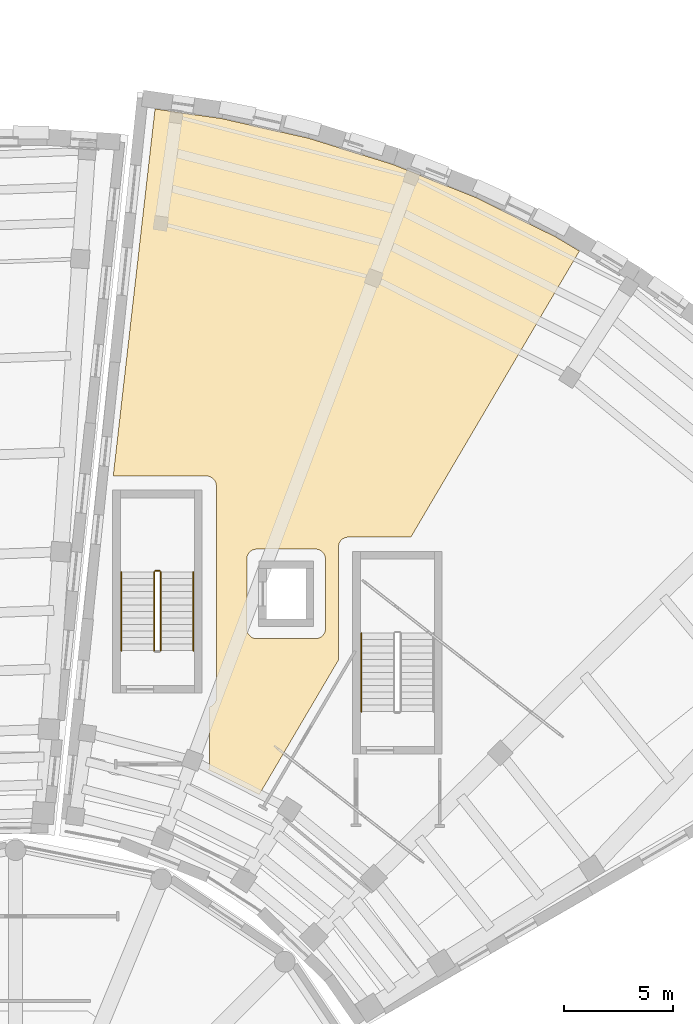
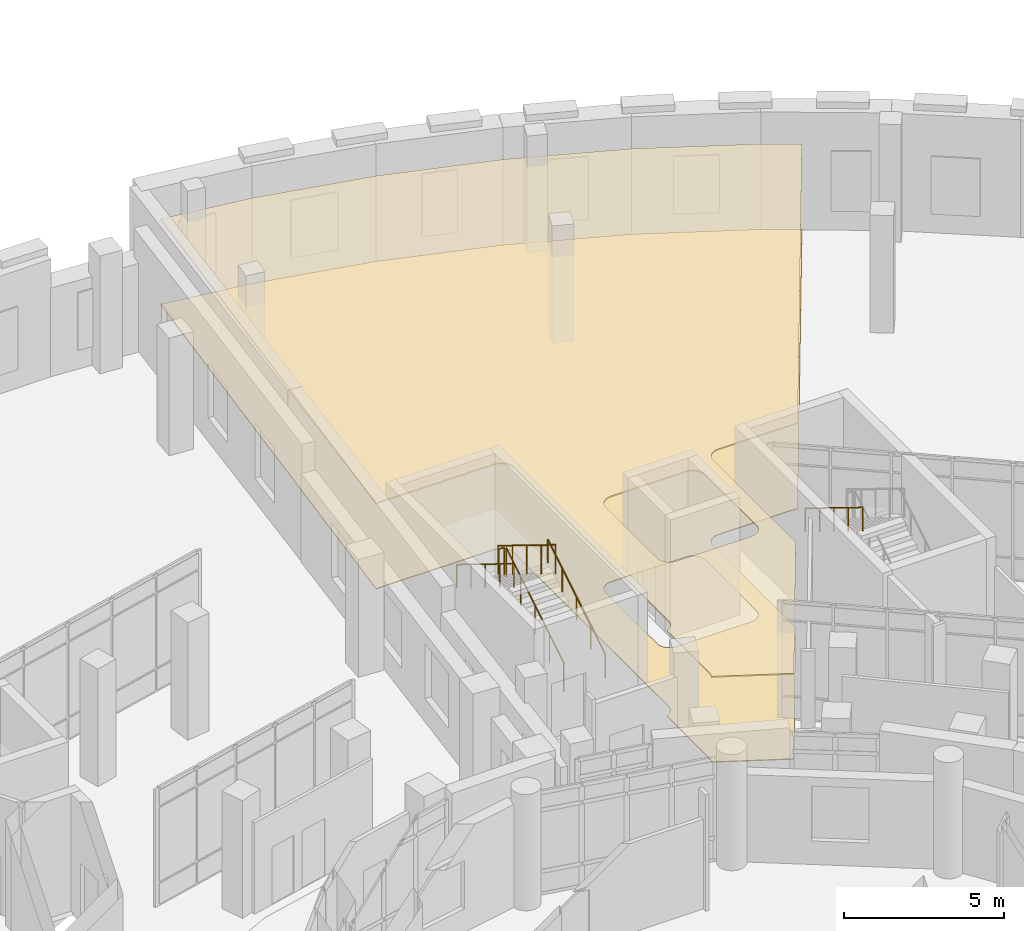
# One storey, part 84 of 89: 6 railings, 2 coverings.
"""IFC4 building model written with IfcOpenShell, lengths in metres."""

import ifcopenshell
import ifcopenshell.guid

model = None  # the IFC model being written
_history = None  # IfcOwnerHistory: only IFC2X3 demands one
_inside = {}  # id of a spatial element -> (the spatial element, [elements in it])
_under = {}  # id of a project, library or spatial element -> (it, [spatial elements below it])
_declared = {}  # id of a project -> (the project, [libraries it declares])
_typed = {}  # id of a type object -> (the type object, [elements of that type])
_made_of = {}  # id of a material, layer set ... -> (it, [elements and type objects made of it])


def new_model(schema):
    """Start an empty IFC model of exactly this schema.

    Asked for "IFC4X3", IfcOpenShell would pick the latest addendum, in which some entities
    have other attributes; the version numbers below select the first issue.
    IFC2X3 requires an IfcOwnerHistory on every rooted entity: one is made here for all.
    """
    global model, _history
    if schema == "IFC4X3":
        model = ifcopenshell.file(schema_version=(4, 3, 0, 0))
    else:
        model = ifcopenshell.file(schema=schema)
    _inside.clear()
    _under.clear()
    _declared.clear()
    _typed.clear()
    _made_of.clear()
    _history = None
    if model.schema == "IFC2X3":
        org = make("IfcOrganization", Name="unknown")
        user = make(
            "IfcPersonAndOrganization",
            ThePerson=make("IfcPerson", FamilyName="unknown"),
            TheOrganization=org,
        )
        app = make(
            "IfcApplication",
            ApplicationDeveloper=org,
            Version="unknown",
            ApplicationFullName="unknown",
            ApplicationIdentifier="unknown",
        )
        _history = make(
            "IfcOwnerHistory",
            OwningUser=user,
            OwningApplication=app,
            ChangeAction="ADDED",
            CreationDate=0,
        )
    return model


def make(cls, **values):
    """One entity of the class cls with the attributes given. An attribute that is None is left unset."""
    return model.create_entity(
        cls, **{name: value for name, value in values.items() if value is not None}
    )


def rooted(cls, **values):
    """An entity with a GlobalId (a new one), such as an element, a storey or a relation."""
    return make(cls, GlobalId=ifcopenshell.guid.new(), OwnerHistory=_history, **values)


def si_unit(unit_type, name, prefix=None):
    """IfcSIUnit, for example si_unit("LENGTHUNIT", "METRE", prefix="MILLI")."""
    return make("IfcSIUnit", UnitType=unit_type, Prefix=prefix, Name=name)


def assignment(units):
    """IfcUnitAssignment: the units of a project."""
    return None if units is None else make("IfcUnitAssignment", Units=units)


def point(xyz):
    """IfcCartesianPoint."""
    return None if xyz is None else make("IfcCartesianPoint", Coordinates=xyz)


def direction(xyz):
    """IfcDirection."""
    return None if xyz is None else make("IfcDirection", DirectionRatios=xyz)


def frame(location, z_axis=None, x_axis=None):
    """IfcAxis2Placement3D, a coordinate frame: its origin and axes. An axis left out is left unset."""
    return make(
        "IfcAxis2Placement3D",
        Location=point(location),
        Axis=direction(z_axis),
        RefDirection=direction(x_axis),
    )


def frame_2d(location, x_axis=None):
    """IfcAxis2Placement2D, a coordinate frame in the plane: its origin and x axis."""
    return make(
        "IfcAxis2Placement2D", Location=point(location), RefDirection=direction(x_axis)
    )


def origin():
    """The frame at (0, 0, 0) with its axes left unset."""
    return frame((0.0, 0.0, 0.0))


def origin_2d():
    """The frame at (0, 0) in the plane with its x axis left unset."""
    return frame_2d((0.0, 0.0))


def place(relative_to, where):
    """IfcLocalPlacement: puts the frame where relative to a parent placement (None: the world)."""
    return make(
        "IfcLocalPlacement", PlacementRelTo=relative_to, RelativePlacement=where
    )


def context(
    kind, dimensions, precision=None, world=None, true_north=None, identifier=None
):
    """IfcGeometricRepresentationContext, for example the 3D "Model" context."""
    return make(
        "IfcGeometricRepresentationContext",
        ContextIdentifier=identifier,
        ContextType=kind,
        CoordinateSpaceDimension=dimensions,
        Precision=precision,
        WorldCoordinateSystem=world,
        TrueNorth=true_north,
    )


def subcontext(parent, identifier, kind, view, scale=None):
    """IfcGeometricRepresentationSubContext, for example "Body" below "Model"."""
    return make(
        "IfcGeometricRepresentationSubContext",
        ContextIdentifier=identifier,
        ContextType=kind,
        ParentContext=parent,
        TargetScale=scale,
        TargetView=view,
    )


def project(units=None, contexts=None):
    """IfcProject with its units and contexts."""
    return rooted(
        "IfcProject",
        Name="project",
        RepresentationContexts=contexts,
        UnitsInContext=assignment(units),
    )


def spatial(cls, under=None, at=None, **own):
    """A site, building, storey or space (cls), placed at a placement, below another one or the project."""
    s = rooted(cls, ObjectPlacement=at, **own)
    if under is not None:
        _under.setdefault(under.id(), (under, []))[1].append(s)
    return s


def polyline(points):
    """IfcPolyline through the points."""
    return make("IfcPolyline", Points=[point(p) for p in points])


def profile(cls, at=None, kind="AREA", **sizes):
    """A parametric profile (cls). Its sizes go by their IFC names, for example OverallWidth=200.0."""
    return make(cls, ProfileType=kind, Position=at, **sizes)


def circle(**sizes):
    """IfcCircleProfileDef."""
    return profile("IfcCircleProfileDef", **sizes)


def outline(outer, holes=None, kind="AREA"):
    """IfcArbitraryClosedProfileDef: a profile drawn as a closed curve; with holes, ...WithVoids."""
    if holes is None:
        return make("IfcArbitraryClosedProfileDef", ProfileType=kind, OuterCurve=outer)
    return make(
        "IfcArbitraryProfileDefWithVoids",
        ProfileType=kind,
        OuterCurve=outer,
        InnerCurves=holes,
    )


def extrude(swept, where, along, depth):
    """IfcExtrudedAreaSolid: the profile swept, set in the frame where, extruded along a direction by depth."""
    return make(
        "IfcExtrudedAreaSolid",
        SweptArea=swept,
        Position=where,
        ExtrudedDirection=direction(along),
        Depth=depth,
    )


def shape(context_of_items, identifier, shape_type, items):
    """IfcShapeRepresentation: the items that make up one representation, for example the "Body"."""
    return make(
        "IfcShapeRepresentation",
        ContextOfItems=context_of_items,
        RepresentationIdentifier=identifier,
        RepresentationType=shape_type,
        Items=items,
    )


def material(Name=None, Category=None):
    """IfcMaterial."""
    return make("IfcMaterial", Name=Name, Category=Category)


def layer(
    of_material, thickness, ventilated=None, Name=None, Category=None, Priority=None
):
    """IfcMaterialLayer: one layer of a wall or slab, of a material (None: an air gap)."""
    return make(
        "IfcMaterialLayer",
        Material=of_material,
        LayerThickness=thickness,
        IsVentilated=ventilated,
        Name=Name,
        Category=Category,
        Priority=Priority,
    )


def layer_set(layers, Name=None):
    """IfcMaterialLayerSet."""
    return make("IfcMaterialLayerSet", MaterialLayers=layers, LayerSetName=Name)


def made_of(thing, what):
    """Note that an element or type object is made of a material, layer set ...; save() writes the relation."""
    if what is not None:
        _made_of.setdefault(what.id(), (what, []))[1].append(thing)
    return thing


def type_object(cls, material=None, **own):
    """A type object (cls), such as IfcWallType, which elements share."""
    return made_of(rooted(cls, **own), material)


def element(
    cls,
    number,
    at=None,
    inside=None,
    cuts=None,
    type_object=None,
    material=None,
    context=None,
    identifier="Body",
    shape_type=None,
    held_by="IfcProductDefinitionShape",
    body=None,
    shapes=None,
    **own,
):
    """One element of the class cls, such as IfcWall. Its Tag is "e" and its number.

    at: its placement. inside: the storey or other place that contains it. cuts: it is an
    opening in that element (IfcRelVoidsElement). A single representation is given by context,
    identifier, shape_type and body (its items); several are given by shapes. held_by: the class
    of the entity that holds the representations. save() writes the other relations.
    """
    e = rooted(cls, Tag="e%d" % number, ObjectPlacement=at, **own)
    if body is not None:
        shapes = [shape(context, identifier, shape_type, body)]
    if shapes is not None:
        e.Representation = make(held_by, Representations=shapes)
    if inside is not None:
        _inside.setdefault(inside.id(), (inside, []))[1].append(e)
    if cuts is not None:
        rooted(
            "IfcRelVoidsElement", RelatingBuildingElement=cuts, RelatedOpeningElement=e
        )
    if type_object is not None:
        _typed.setdefault(type_object.id(), (type_object, []))[1].append(e)
    return made_of(e, material)


def aggregate(whole, parts):
    """IfcRelAggregates: a whole, such as a stair, and the parts it consists of."""
    return rooted("IfcRelAggregates", RelatingObject=whole, RelatedObjects=parts)


def save(model, path):
    """Write the relations noted so far, then the file.

    IfcRelAggregates (storeys below a building ...), IfcRelContainedInSpatialStructure (elements
    in a storey), IfcRelDefinesByType, IfcRelAssociatesMaterial and IfcRelDeclares: one each for
    every whole, place, type object, material and project.
    """
    for whole, parts in _under.values():
        aggregate(whole, parts)
    for where, things in _inside.values():
        rooted(
            "IfcRelContainedInSpatialStructure",
            RelatedElements=things,
            RelatingStructure=where,
        )
    for kind, things in _typed.values():
        rooted("IfcRelDefinesByType", RelatedObjects=things, RelatingType=kind)
    for what, things in _made_of.values():
        rooted("IfcRelAssociatesMaterial", RelatedObjects=things, RelatingMaterial=what)
    for by, libraries in _declared.values():
        rooted("IfcRelDeclares", RelatingContext=by, RelatedDefinitions=libraries)
    model.write(path)


model = new_model("IFC4")

# Units and contexts
model_context = context("Model", 3, precision=1e-05, world=origin(), true_north=direction((0.0, 1.0)))
body_context = subcontext(model_context, "Body", "Model", "MODEL_VIEW")
ifc_project = project(units=[si_unit("LENGTHUNIT", "METRE"), si_unit("AREAUNIT", "SQUARE_METRE"), si_unit("VOLUMEUNIT", "CUBIC_METRE"), si_unit("PLANEANGLEUNIT", "RADIAN"), si_unit("MASSUNIT", "GRAM", prefix="KILO")], contexts=[model_context])

# Site, building, storey
site_placement = place(None, origin())
site = spatial("IfcSite", under=ifc_project, at=site_placement, CompositionType="ELEMENT")
building_placement = place(site_placement, origin())
building = spatial("IfcBuilding", under=site, at=building_placement, Name="Soyqirgoq Riverine Aquarium", CompositionType="ELEMENT")
storey_placement = place(building_placement, frame((0.0, 0.0, 5.39990234375)))
storey = spatial("IfcBuildingStorey", under=building, at=storey_placement, Name="L02", CompositionType="ELEMENT", Elevation=5.39990234375)

# Covering
ifc_material_1 = material(Name="Perforated mineral-fibre acoustic ceiling", Category="gypsum")
ifc_layer_1 = layer(ifc_material_1, 0.050048828125)
ifc_layer_set_1 = layer_set([ifc_layer_1], Name="Perforated mineral-fibre acoustic ceiling")
covering_type_1 = type_object("IfcCoveringType", Name="AcousticBaffleCeiling_50", PredefinedType="CEILING", material=ifc_layer_set_1)
covering_1_placement = place(storey_placement, frame((0.0, 0.0, 3.25)))
element("IfcCovering", 1, at=covering_1_placement, inside=storey, type_object=covering_type_1, Name="Hydrothermal Vent Deep-Sea Hall Suspended Ceiling", PredefinedType="CEILING", context=body_context, shape_type="SweptSolid", body=[
    extrude(outline(polyline([(62.39208984375, 108.424072265625), (65.448974609375, 107.98095703125), (69.419921875, 107.0830078125), (73.30810546875, 105.875), (77.089111328125, 104.366943359375), (80.739990234375, 102.56591796875), (81.840087890625, 101.912109375), (74.116943359375, 88.800048828125), (71.25, 88.800048828125), (71.2060546875, 88.798095703125), (71.162109375, 88.791015625), (71.118896484375, 88.781005859375), (71.077880859375, 88.76611328125), (71.0380859375, 88.7470703125), (71.0, 88.72412109375), (70.965087890625, 88.697998046875), (70.931884765625, 88.66796875), (70.902099609375, 88.635009765625), (70.8759765625, 88.60009765625), (70.85302734375, 88.56201171875), (70.833984375, 88.52197265625), (70.819091796875, 88.48095703125), (70.80908203125, 88.43798828125), (70.802001953125, 88.39404296875), (70.800048828125, 88.35009765625), (70.800048828125, 83.169921875), (67.1650390625, 76.998046875), (64.8359375, 78.14599609375), (64.8369140625, 78.14794921875), (64.85595703125, 78.18798828125), (64.87109375, 78.22900390625), (64.881103515625, 78.27197265625), (64.887939453125, 78.31591796875), (64.889892578125, 78.360107421875), (64.889892578125, 81.02294921875), (64.922119140625, 81.033935546875), (64.9619140625, 81.052978515625), (65.0, 81.075927734375), (65.034912109375, 81.10205078125), (65.068115234375, 81.132080078125), (65.097900390625, 81.1650390625), (65.1240234375, 81.199951171875), (65.14697265625, 81.238037109375), (65.166015625, 81.278076171875), (65.180908203125, 81.319091796875), (65.19091796875, 81.362060546875), (65.197998046875, 81.406005859375), (65.199951171875, 81.449951171875), (65.199951171875, 91.14990234375), (65.197998046875, 91.194091796875), (65.19091796875, 91.238037109375), (65.180908203125, 91.281005859375), (65.166015625, 91.322021484375), (65.14697265625, 91.362060546875), (65.1240234375, 91.39990234375), (65.097900390625, 91.43505859375), (65.068115234375, 91.468017578125), (65.034912109375, 91.498046875), (65.0, 91.52392578125), (64.9619140625, 91.547119140625), (64.922119140625, 91.56591796875), (64.881103515625, 91.5810546875), (64.837890625, 91.591064453125), (64.7939453125, 91.597900390625), (64.75, 91.60009765625), (60.47607421875, 91.60009765625), (62.39208984375, 108.424072265625)]), holes=[polyline([(66.60009765625, 87.800048828125), (66.60205078125, 87.843994140625), (66.60888671875, 87.887939453125), (66.618896484375, 87.930908203125), (66.634033203125, 87.971923828125), (66.653076171875, 88.011962890625), (66.676025390625, 88.050048828125), (66.701904296875, 88.0849609375), (66.73193359375, 88.117919921875), (66.764892578125, 88.14794921875), (66.800048828125, 88.174072265625), (66.837890625, 88.197021484375), (66.8779296875, 88.216064453125), (66.9189453125, 88.23095703125), (66.9619140625, 88.240966796875), (67.006103515625, 88.248046875), (67.050048828125, 88.25), (69.75, 88.25), (69.7939453125, 88.248046875), (69.837890625, 88.240966796875), (69.881103515625, 88.23095703125), (69.922119140625, 88.216064453125), (69.9619140625, 88.197021484375), (70.0, 88.174072265625), (70.034912109375, 88.14794921875), (70.068115234375, 88.117919921875), (70.097900390625, 88.0849609375), (70.1240234375, 88.050048828125), (70.14697265625, 88.011962890625), (70.166015625, 87.971923828125), (70.180908203125, 87.930908203125), (70.19091796875, 87.887939453125), (70.197998046875, 87.843994140625), (70.199951171875, 87.800048828125), (70.199951171875, 84.60009765625), (70.197998046875, 84.555908203125), (70.19091796875, 84.511962890625), (70.180908203125, 84.468994140625), (70.166015625, 84.427978515625), (70.14697265625, 84.387939453125), (70.1240234375, 84.35009765625), (70.097900390625, 84.31494140625), (70.068115234375, 84.281982421875), (70.034912109375, 84.251953125), (70.0, 84.22607421875), (69.9619140625, 84.202880859375), (69.922119140625, 84.18408203125), (69.881103515625, 84.1689453125), (69.837890625, 84.158935546875), (69.7939453125, 84.152099609375), (69.75, 84.14990234375), (67.050048828125, 84.14990234375), (67.006103515625, 84.152099609375), (66.9619140625, 84.158935546875), (66.9189453125, 84.1689453125), (66.8779296875, 84.18408203125), (66.837890625, 84.202880859375), (66.800048828125, 84.22607421875), (66.764892578125, 84.251953125), (66.73193359375, 84.281982421875), (66.701904296875, 84.31494140625), (66.676025390625, 84.35009765625), (66.653076171875, 84.387939453125), (66.634033203125, 84.427978515625), (66.618896484375, 84.468994140625), (66.60888671875, 84.511962890625), (66.60205078125, 84.555908203125), (66.60009765625, 84.60009765625), (66.60009765625, 87.800048828125)])]), origin(), (0.0, 0.0, 1.0), 0.050048828125),
])

# Railings
ifc_material_2 = material(Name="Brushed stainless steel 316L tubular handrail", Category="steel")
railing_type_1 = type_object("IfcRailingType", Name="StairPitchHandrail_920", PredefinedType="HANDRAIL", material=ifc_material_2)
railing_1_placement = place(storey_placement, frame((64.14990234375, 83.60009765625, 0.184814453125)))
element("IfcRailing", 2, at=railing_1_placement, inside=storey, type_object=railing_type_1, Name="L02 ST-5 stair handrail 1", PredefinedType="HANDRAIL", context=body_context, shape_type="SweptSolid", body=[
    extrude(circle(Radius=0.02392578125, at=origin_2d()), frame((0.0, 0.0, 0.89990234375), z_axis=(0.0, 0.851654350407, 0.524103870844), x_axis=(-1.0, 0.0, 0.0)), (0.0, 0.0, 1.0), 4.226806640625),
    extrude(circle(Radius=0.02099609375, at=origin_2d()), origin(), (0.0, 0.0, 1.0), 0.875732421875),
    extrude(circle(Radius=0.02099609375, at=origin_2d()), frame((0.0, 0.89990234375, 0.5537109375)), (0.0, 0.0, 1.0), 0.875732421875),
    extrude(circle(Radius=0.02099609375, at=origin_2d()), frame((0.0, 1.7998046875, 1.107666015625)), (0.0, 0.0, 1.0), 0.875732421875),
    extrude(circle(Radius=0.02099609375, at=origin_2d()), frame((0.0, 2.699951171875, 1.66162109375)), (0.0, 0.0, 1.0), 0.875732421875),
    extrude(circle(Radius=0.02099609375, at=origin_2d()), frame((0.0, 3.599853515625, 2.21533203125)), (0.0, 0.0, 1.0), 0.875732421875),
])
for number, where, name in (
    (3, (60.85009765625, 87.199951171875, 2.584716796875), "L02 ST-5 stair handrail 2"),
    (4, (71.85009765625, 84.39990234375, 2.584716796875), "L02 ST-6 stair handrail 2"),
):
    element("IfcRailing", number, at=place(storey_placement, frame(where)), inside=storey, type_object=railing_type_1, Name=name, PredefinedType="HANDRAIL", context=body_context, shape_type="SweptSolid", body=[
        extrude(circle(Radius=0.02392578125, at=origin_2d()), frame((0.0, 0.0, 0.89990234375), z_axis=(0.0, -0.851654350407, 0.524103870844), x_axis=(1.0, 0.0, 0.0)), (0.0, 0.0, 1.0), 4.226806640625),
        extrude(circle(Radius=0.02099609375, at=origin_2d()), origin(), (0.0, 0.0, 1.0), 0.875732421875),
        extrude(circle(Radius=0.02099609375, at=origin_2d()), frame((0.0, -0.89990234375, 0.5537109375)), (0.0, 0.0, 1.0), 0.875732421875),
        extrude(circle(Radius=0.02099609375, at=origin_2d()), frame((0.0, -1.7998046875, 1.107666015625)), (0.0, 0.0, 1.0), 0.875732421875),
        extrude(circle(Radius=0.02099609375, at=origin_2d()), frame((0.0, -2.699951171875, 1.66162109375)), (0.0, 0.0, 1.0), 0.875732421875),
        extrude(circle(Radius=0.02099609375, at=origin_2d()), frame((0.0, -3.599853515625, 2.21533203125)), (0.0, 0.0, 1.0), 0.875732421875),
    ])
ifc_material_3 = material(Name="Painted steel infill stair-well guardrail", Category="steel")
railing_type_2 = type_object("IfcRailingType", Name="StairWellGuard_1120", PredefinedType="GUARDRAIL", material=ifc_material_3)
railing_2_placement = place(storey_placement, frame((62.64990234375, 83.60009765625, 0.184814453125)))
element("IfcRailing", 5, at=railing_2_placement, inside=storey, type_object=railing_type_2, Name="L02 ST-5 stair guard 1", PredefinedType="GUARDRAIL", context=body_context, shape_type="SweptSolid", body=[
    extrude(circle(Radius=0.02392578125, at=origin_2d()), frame((0.0, 0.0, 1.09619140625), z_axis=(0.0, 0.851654350407, 0.524103870844), x_axis=(-1.0, 0.0, 0.0)), (0.0, 0.0, 1.0), 4.226806640625),
    extrude(circle(Radius=0.02099609375, at=origin_2d()), origin(), (0.0, 0.0, 1.0), 1.072021484375),
    extrude(circle(Radius=0.02099609375, at=origin_2d()), frame((0.0, 0.89990234375, 0.5537109375)), (0.0, 0.0, 1.0), 1.072021484375),
    extrude(circle(Radius=0.02099609375, at=origin_2d()), frame((0.0, 1.7998046875, 1.107666015625)), (0.0, 0.0, 1.0), 1.072021484375),
    extrude(circle(Radius=0.02099609375, at=origin_2d()), frame((0.0, 2.699951171875, 1.66162109375)), (0.0, 0.0, 1.0), 1.072021484375),
    extrude(circle(Radius=0.02099609375, at=origin_2d()), frame((0.0, 3.599853515625, 2.21533203125)), (0.0, 0.0, 1.0), 1.072021484375),
])
railing_3_placement = place(storey_placement, frame((62.60009765625, 87.25, 2.400146484375)))
element("IfcRailing", 6, at=railing_3_placement, inside=storey, type_object=railing_type_2, Name="L02 ST-5 stair guard 2", PredefinedType="GUARDRAIL", context=body_context, shape_type="SweptSolid", body=[
    extrude(circle(Radius=0.02392578125, at=origin_2d()), frame((0.0, 0.0, 1.09619140625), z_axis=(-1.0, 0.0, 0.0), x_axis=(0.0, -1.0, 0.0)), (0.0, 0.0, 1.0), 0.2001953125),
    extrude(circle(Radius=0.02099609375, at=origin_2d()), origin(), (0.0, 0.0, 1.0), 1.072021484375),
    extrude(circle(Radius=0.02099609375, at=origin_2d()), frame((-0.2001953125, 0.0, 0.0)), (0.0, 0.0, 1.0), 1.072021484375),
])
railing_4_placement = place(storey_placement, frame((62.35009765625, 87.199951171875, 2.584716796875)))
element("IfcRailing", 7, at=railing_4_placement, inside=storey, type_object=railing_type_2, Name="L02 ST-5 stair guard 3", PredefinedType="GUARDRAIL", context=body_context, shape_type="SweptSolid", body=[
    extrude(circle(Radius=0.02392578125, at=origin_2d()), frame((0.0, 0.0, 1.09619140625), z_axis=(0.0, -0.851654350407, 0.524103870844), x_axis=(1.0, 0.0, 0.0)), (0.0, 0.0, 1.0), 4.226806640625),
    extrude(circle(Radius=0.02099609375, at=origin_2d()), origin(), (0.0, 0.0, 1.0), 1.072021484375),
    extrude(circle(Radius=0.02099609375, at=origin_2d()), frame((0.0, -0.89990234375, 0.5537109375)), (0.0, 0.0, 1.0), 1.072021484375),
    extrude(circle(Radius=0.02099609375, at=origin_2d()), frame((0.0, -1.7998046875, 1.107666015625)), (0.0, 0.0, 1.0), 1.072021484375),
    extrude(circle(Radius=0.02099609375, at=origin_2d()), frame((0.0, -2.699951171875, 1.66162109375)), (0.0, 0.0, 1.0), 1.072021484375),
    extrude(circle(Radius=0.02099609375, at=origin_2d()), frame((0.0, -3.599853515625, 2.21533203125)), (0.0, 0.0, 1.0), 1.072021484375),
])

# Covering
ifc_material_4 = material(Name="Polished Chirchiq river-pebble terrazzo flooring", Category="concrete")
ifc_layer_2 = layer(ifc_material_4, 0.030029296875)
ifc_layer_set_2 = layer_set([ifc_layer_2], Name="Polished Chirchiq river-pebble terrazzo flooring")
covering_type_2 = type_object("IfcCoveringType", Name="TerrazzoFloorFinish_30", PredefinedType="FLOORING", material=ifc_layer_set_2)
covering_2_placement = place(storey_placement, origin())
element("IfcCovering", 8, at=covering_2_placement, inside=storey, type_object=covering_type_2, Name="Hydrothermal Vent Deep-Sea Hall Floor Finish", PredefinedType="FLOORING", context=body_context, shape_type="SweptSolid", body=[
    extrude(outline(polyline([(62.39208984375, 108.424072265625), (65.448974609375, 107.98095703125), (69.419921875, 107.0830078125), (73.30810546875, 105.875), (77.089111328125, 104.366943359375), (80.739990234375, 102.56591796875), (81.840087890625, 101.912109375), (74.116943359375, 88.800048828125), (71.25, 88.800048828125), (71.2060546875, 88.798095703125), (71.162109375, 88.791015625), (71.118896484375, 88.781005859375), (71.077880859375, 88.76611328125), (71.0380859375, 88.7470703125), (71.0, 88.72412109375), (70.965087890625, 88.697998046875), (70.931884765625, 88.66796875), (70.902099609375, 88.635009765625), (70.8759765625, 88.60009765625), (70.85302734375, 88.56201171875), (70.833984375, 88.52197265625), (70.819091796875, 88.48095703125), (70.80908203125, 88.43798828125), (70.802001953125, 88.39404296875), (70.800048828125, 88.35009765625), (70.800048828125, 83.169921875), (67.1650390625, 76.998046875), (64.8359375, 78.14599609375), (64.8369140625, 78.14794921875), (64.85595703125, 78.18798828125), (64.87109375, 78.22900390625), (64.881103515625, 78.27197265625), (64.887939453125, 78.31591796875), (64.889892578125, 78.360107421875), (64.889892578125, 81.02294921875), (64.922119140625, 81.033935546875), (64.9619140625, 81.052978515625), (65.0, 81.075927734375), (65.034912109375, 81.10205078125), (65.068115234375, 81.132080078125), (65.097900390625, 81.1650390625), (65.1240234375, 81.199951171875), (65.14697265625, 81.238037109375), (65.166015625, 81.278076171875), (65.180908203125, 81.319091796875), (65.19091796875, 81.362060546875), (65.197998046875, 81.406005859375), (65.199951171875, 81.449951171875), (65.199951171875, 91.14990234375), (65.197998046875, 91.194091796875), (65.19091796875, 91.238037109375), (65.180908203125, 91.281005859375), (65.166015625, 91.322021484375), (65.14697265625, 91.362060546875), (65.1240234375, 91.39990234375), (65.097900390625, 91.43505859375), (65.068115234375, 91.468017578125), (65.034912109375, 91.498046875), (65.0, 91.52392578125), (64.9619140625, 91.547119140625), (64.922119140625, 91.56591796875), (64.881103515625, 91.5810546875), (64.837890625, 91.591064453125), (64.7939453125, 91.597900390625), (64.75, 91.60009765625), (60.47607421875, 91.60009765625), (62.39208984375, 108.424072265625)]), holes=[polyline([(66.60009765625, 87.800048828125), (66.60205078125, 87.843994140625), (66.60888671875, 87.887939453125), (66.618896484375, 87.930908203125), (66.634033203125, 87.971923828125), (66.653076171875, 88.011962890625), (66.676025390625, 88.050048828125), (66.701904296875, 88.0849609375), (66.73193359375, 88.117919921875), (66.764892578125, 88.14794921875), (66.800048828125, 88.174072265625), (66.837890625, 88.197021484375), (66.8779296875, 88.216064453125), (66.9189453125, 88.23095703125), (66.9619140625, 88.240966796875), (67.006103515625, 88.248046875), (67.050048828125, 88.25), (69.75, 88.25), (69.7939453125, 88.248046875), (69.837890625, 88.240966796875), (69.881103515625, 88.23095703125), (69.922119140625, 88.216064453125), (69.9619140625, 88.197021484375), (70.0, 88.174072265625), (70.034912109375, 88.14794921875), (70.068115234375, 88.117919921875), (70.097900390625, 88.0849609375), (70.1240234375, 88.050048828125), (70.14697265625, 88.011962890625), (70.166015625, 87.971923828125), (70.180908203125, 87.930908203125), (70.19091796875, 87.887939453125), (70.197998046875, 87.843994140625), (70.199951171875, 87.800048828125), (70.199951171875, 84.60009765625), (70.197998046875, 84.555908203125), (70.19091796875, 84.511962890625), (70.180908203125, 84.468994140625), (70.166015625, 84.427978515625), (70.14697265625, 84.387939453125), (70.1240234375, 84.35009765625), (70.097900390625, 84.31494140625), (70.068115234375, 84.281982421875), (70.034912109375, 84.251953125), (70.0, 84.22607421875), (69.9619140625, 84.202880859375), (69.922119140625, 84.18408203125), (69.881103515625, 84.1689453125), (69.837890625, 84.158935546875), (69.7939453125, 84.152099609375), (69.75, 84.14990234375), (67.050048828125, 84.14990234375), (67.006103515625, 84.152099609375), (66.9619140625, 84.158935546875), (66.9189453125, 84.1689453125), (66.8779296875, 84.18408203125), (66.837890625, 84.202880859375), (66.800048828125, 84.22607421875), (66.764892578125, 84.251953125), (66.73193359375, 84.281982421875), (66.701904296875, 84.31494140625), (66.676025390625, 84.35009765625), (66.653076171875, 84.387939453125), (66.634033203125, 84.427978515625), (66.618896484375, 84.468994140625), (66.60888671875, 84.511962890625), (66.60205078125, 84.555908203125), (66.60009765625, 84.60009765625), (66.60009765625, 87.800048828125)])]), origin(), (0.0, 0.0, 1.0), 0.030029296875),
])

save(model, "model.ifc")
